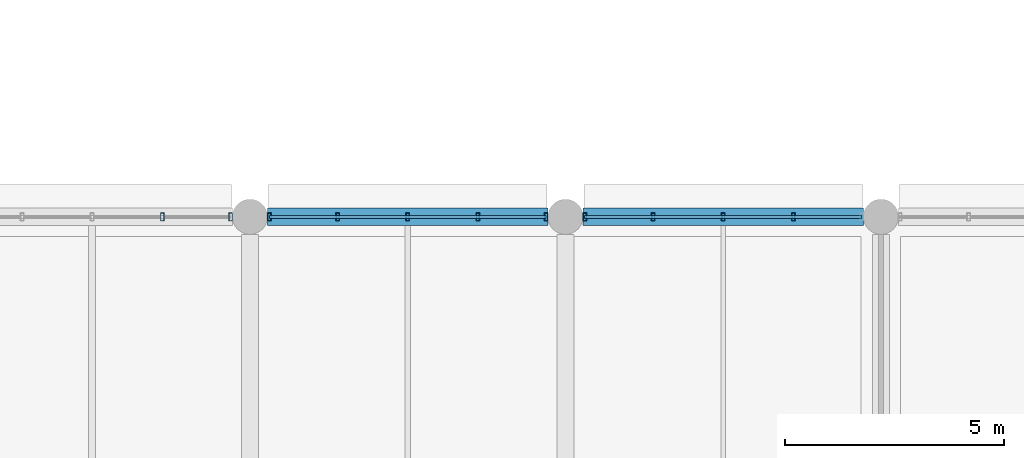
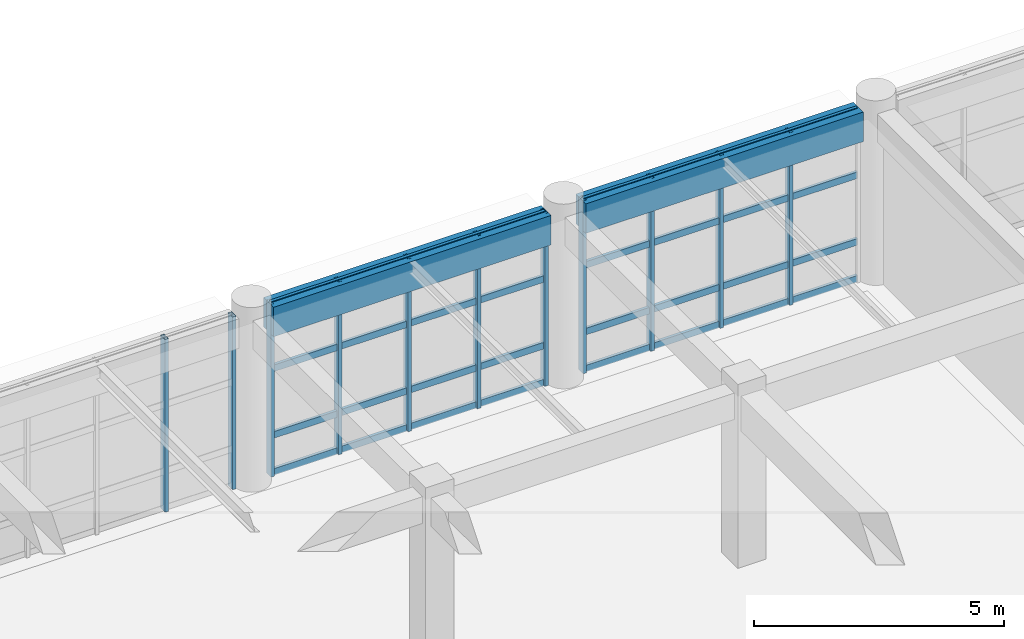
# One storey, part 59 of 171: 19 members, 2 beams, 3 elements without a shape of their own.
"""IFC4 building model written with IfcOpenShell, lengths in metres."""

from ifc_helpers import new_model, si_unit, direction, frame, origin, origin_2d, place, context, subcontext, project, spatial, rectangle, hollow_rectangle, extrude, material, material_profile, profile_set, type_object, element, aggregate, save


model = new_model("IFC4")

# Units and contexts
model_context = context("Model", 3, precision=1e-05, world=origin(), true_north=direction((0.0, 1.0)))
body_context = subcontext(model_context, "Body", "Model", "MODEL_VIEW")
ifc_project = project(units=[si_unit("LENGTHUNIT", "METRE"), si_unit("AREAUNIT", "SQUARE_METRE"), si_unit("VOLUMEUNIT", "CUBIC_METRE"), si_unit("PLANEANGLEUNIT", "RADIAN"), si_unit("MASSUNIT", "GRAM", prefix="KILO")], contexts=[model_context])

# Site, building, storey
site_placement = place(None, origin())
site = spatial("IfcSite", under=ifc_project, at=site_placement, CompositionType="ELEMENT")
building_placement = place(site_placement, origin())
building = spatial("IfcBuilding", under=site, at=building_placement, Name="Thalmaran Polytechnic", CompositionType="ELEMENT")
storey_placement = place(building_placement, frame((0.0, 0.0, 5.39990234375)))
storey = spatial("IfcBuildingStorey", under=building, at=storey_placement, Name="L01", CompositionType="ELEMENT", Elevation=5.39990234375)

# Beams
ifc_material_1 = material(Name="Concrete C40/50", Category="concrete")
ifc_material_profile_1 = material_profile(ifc_material_1, rectangle(XDim=0.39990234375, YDim=0.719970703125, at=origin_2d()), Name="RC 400x720")
ifc_profile_set_1 = profile_set([ifc_material_profile_1], Name="Concrete C40/50")
beam_type = type_object("IfcBeamType", Name="BM-SP01", PredefinedType="SPANDREL", material=ifc_profile_set_1)
for number, where, z_axis, x_axis, name in (
    (1, (50.800048828125, 72.0, 3.85009765625), (1.0, 0.0, 0.0), (0.0, 1.0, 0.0), "Grid Beam SP01 L01 X(7,10)"),
    (2, (58.0, 72.0, 3.85009765625), (1.0, 0.0, 0.0), (0.0, 1.0, 0.0), "Grid Beam SP01 L01 X(8,10)"),
):
    element("IfcBeam", number, at=place(storey_placement, frame(where, z_axis=z_axis, x_axis=x_axis)), inside=storey, type_object=beam_type, Name=name, PredefinedType="SPANDREL", context=body_context, shape_type="SweptSolid", body=[
        extrude(rectangle(XDim=0.39990234375, YDim=0.719970703125, at=origin_2d()), origin(), (0.0, 0.0, 1.0), 6.39990234375),
    ])

# Curtain wall, members
ifc_material_2 = material(Name="Aluminium 6063-T6", Category="aluminium")
curtain_wall_type = type_object("IfcCurtainWallType", Name="CW-SC01", PredefinedType="USERDEFINED", material=ifc_material_2)
curtain_wall_1_placement = place(storey_placement, origin())
curtain_wall_1 = element("IfcCurtainWall", 3, at=curtain_wall_1_placement, inside=storey, type_object=curtain_wall_type, Name="Curtain Wall CW-L01-142", ObjectType="STICK CURTAIN WALL", PredefinedType="USERDEFINED")
ifc_material_profile_2 = material_profile(ifc_material_2, hollow_rectangle(XDim=0.080078125, YDim=0.179931640625, WallThickness=0.0048828125, at=origin_2d()), Name="RHS 180x80x5.0")
ifc_profile_set_2 = profile_set([ifc_material_profile_2], Name="Aluminium 6063-T6")
member_type_1 = type_object("IfcMemberType", Name="CW-MUL1", PredefinedType="MULLION", material=ifc_profile_set_2)
member_1_placement = place(storey_placement, frame((48.39990234375, 72.0, 0.0), z_axis=(0.0, 0.0, 1.0), x_axis=(1.0, 0.0, 0.0)))
member_1 = element("IfcMember", 4, at=member_1_placement, type_object=member_type_1, Name="CW-L01-142 Mullion 4", PredefinedType="MULLION", context=body_context, shape_type="SweptSolid", body=[
    extrude(hollow_rectangle(XDim=0.080078125, YDim=0.179931640625, WallThickness=0.0048828125, at=origin_2d()), origin(), (0.0, 0.0, 1.0), 4.210205078125),
])
member_2_placement = place(storey_placement, frame((49.9599609375, 72.0, 0.0), z_axis=(0.0, 0.0, 1.0), x_axis=(1.0, 0.0, 0.0)))
member_2 = element("IfcMember", 5, at=member_2_placement, type_object=member_type_1, Name="CW-L01-142 Mullion 5", PredefinedType="MULLION", context=body_context, shape_type="SweptSolid", body=[
    extrude(hollow_rectangle(XDim=0.080078125, YDim=0.179931640625, WallThickness=0.0048828125, at=origin_2d()), origin(), (0.0, 0.0, 1.0), 4.210205078125),
])
aggregate(curtain_wall_1, [member_1, member_2])

curtain_wall_2_placement = place(storey_placement, origin())
curtain_wall_2 = element("IfcCurtainWall", 6, at=curtain_wall_2_placement, inside=storey, type_object=curtain_wall_type, Name="Curtain Wall CW-L01-143", ObjectType="STICK CURTAIN WALL", PredefinedType="USERDEFINED")
member_3_placement = place(storey_placement, frame((50.840087890625, 72.0, 0.0), z_axis=(0.0, 0.0, 1.0), x_axis=(1.0, 0.0, 0.0)))
member_3 = element("IfcMember", 7, at=member_3_placement, type_object=member_type_1, Name="CW-L01-143 Mullion 1", PredefinedType="MULLION", context=body_context, shape_type="SweptSolid", body=[
    extrude(hollow_rectangle(XDim=0.080078125, YDim=0.179931640625, WallThickness=0.0048828125, at=origin_2d()), origin(), (0.0, 0.0, 1.0), 4.210205078125),
])
member_4_placement = place(storey_placement, frame((52.39990234375, 72.0, 0.0), z_axis=(0.0, 0.0, 1.0), x_axis=(1.0, 0.0, 0.0)))
member_4 = element("IfcMember", 8, at=member_4_placement, type_object=member_type_1, Name="CW-L01-143 Mullion 2", PredefinedType="MULLION", context=body_context, shape_type="SweptSolid", body=[
    extrude(hollow_rectangle(XDim=0.080078125, YDim=0.179931640625, WallThickness=0.0048828125, at=origin_2d()), origin(), (0.0, 0.0, 1.0), 4.210205078125),
])
member_5_placement = place(storey_placement, frame((54.0, 72.0, 0.0), z_axis=(0.0, 0.0, 1.0), x_axis=(1.0, 0.0, 0.0)))
member_5 = element("IfcMember", 9, at=member_5_placement, type_object=member_type_1, Name="CW-L01-143 Mullion 3", PredefinedType="MULLION", context=body_context, shape_type="SweptSolid", body=[
    extrude(hollow_rectangle(XDim=0.080078125, YDim=0.179931640625, WallThickness=0.0048828125, at=origin_2d()), origin(), (0.0, 0.0, 1.0), 4.210205078125),
])
member_6_placement = place(storey_placement, frame((55.60009765625, 72.0, 0.0), z_axis=(0.0, 0.0, 1.0), x_axis=(1.0, 0.0, 0.0)))
member_6 = element("IfcMember", 10, at=member_6_placement, type_object=member_type_1, Name="CW-L01-143 Mullion 4", PredefinedType="MULLION", context=body_context, shape_type="SweptSolid", body=[
    extrude(hollow_rectangle(XDim=0.080078125, YDim=0.179931640625, WallThickness=0.0048828125, at=origin_2d()), origin(), (0.0, 0.0, 1.0), 4.210205078125),
])
member_7_placement = place(storey_placement, frame((57.159912109375, 72.0, 0.0), z_axis=(0.0, 0.0, 1.0), x_axis=(1.0, 0.0, 0.0)))
member_7 = element("IfcMember", 11, at=member_7_placement, type_object=member_type_1, Name="CW-L01-143 Mullion 5", PredefinedType="MULLION", context=body_context, shape_type="SweptSolid", body=[
    extrude(hollow_rectangle(XDim=0.080078125, YDim=0.179931640625, WallThickness=0.0048828125, at=origin_2d()), origin(), (0.0, 0.0, 1.0), 4.210205078125),
])

curtain_wall_3_placement = place(storey_placement, origin())
curtain_wall_3 = element("IfcCurtainWall", 12, at=curtain_wall_3_placement, inside=storey, type_object=curtain_wall_type, Name="Curtain Wall CW-L01-144", ObjectType="STICK CURTAIN WALL", PredefinedType="USERDEFINED")
member_8_placement = place(storey_placement, frame((58.0400390625, 72.0, 0.0), z_axis=(0.0, 0.0, 1.0), x_axis=(1.0, 0.0, 0.0)))
member_8 = element("IfcMember", 13, at=member_8_placement, type_object=member_type_1, Name="CW-L01-144 Mullion 1", PredefinedType="MULLION", context=body_context, shape_type="SweptSolid", body=[
    extrude(hollow_rectangle(XDim=0.080078125, YDim=0.179931640625, WallThickness=0.0048828125, at=origin_2d()), origin(), (0.0, 0.0, 1.0), 4.210205078125),
])
member_9_placement = place(storey_placement, frame((59.60009765625, 72.0, 0.0), z_axis=(0.0, 0.0, 1.0), x_axis=(1.0, 0.0, 0.0)))
member_9 = element("IfcMember", 14, at=member_9_placement, type_object=member_type_1, Name="CW-L01-144 Mullion 2", PredefinedType="MULLION", context=body_context, shape_type="SweptSolid", body=[
    extrude(hollow_rectangle(XDim=0.080078125, YDim=0.179931640625, WallThickness=0.0048828125, at=origin_2d()), origin(), (0.0, 0.0, 1.0), 4.210205078125),
])
member_10_placement = place(storey_placement, frame((61.199951171875, 72.0, 0.0), z_axis=(0.0, 0.0, 1.0), x_axis=(1.0, 0.0, 0.0)))
member_10 = element("IfcMember", 15, at=member_10_placement, type_object=member_type_1, Name="CW-L01-144 Mullion 3", PredefinedType="MULLION", context=body_context, shape_type="SweptSolid", body=[
    extrude(hollow_rectangle(XDim=0.080078125, YDim=0.179931640625, WallThickness=0.0048828125, at=origin_2d()), origin(), (0.0, 0.0, 1.0), 4.210205078125),
])
member_11_placement = place(storey_placement, frame((62.800048828125, 72.0, 0.0), z_axis=(0.0, 0.0, 1.0), x_axis=(1.0, 0.0, 0.0)))
member_11 = element("IfcMember", 16, at=member_11_placement, type_object=member_type_1, Name="CW-L01-144 Mullion 4", PredefinedType="MULLION", context=body_context, shape_type="SweptSolid", body=[
    extrude(hollow_rectangle(XDim=0.080078125, YDim=0.179931640625, WallThickness=0.0048828125, at=origin_2d()), origin(), (0.0, 0.0, 1.0), 4.210205078125),
])

# Member
ifc_material_profile_3 = material_profile(ifc_material_2, hollow_rectangle(XDim=0.070068359375, YDim=0.159912109375, WallThickness=0.00390625, at=origin_2d()), Name="AL 160x70x4.0")
ifc_profile_set_3 = profile_set([ifc_material_profile_3], Name="Aluminium 6063-T6")
member_type_2 = type_object("IfcMemberType", Name="CW-TRN1", PredefinedType="USERDEFINED", material=ifc_profile_set_3)
member_12_placement = place(storey_placement, frame((50.840087890625, 72.0, 0.06005859375), z_axis=(1.0, 0.0, 0.0), x_axis=(0.0, 1.0, 0.0)))
member_12 = element("IfcMember", 17, at=member_12_placement, type_object=member_type_2, Name="CW-L01-143 Transom 1", ObjectType="TRANSOM", PredefinedType="USERDEFINED", context=body_context, shape_type="SweptSolid", body=[
    extrude(hollow_rectangle(XDim=0.070068359375, YDim=0.159912109375, WallThickness=0.00390625, at=origin_2d()), origin(), (0.0, 0.0, 1.0), 6.31982421875),
])

member_13_placement = place(storey_placement, frame((50.840087890625, 72.0, 0.960205078125), z_axis=(1.0, 0.0, 0.0), x_axis=(0.0, 1.0, 0.0)))
member_13 = element("IfcMember", 18, at=member_13_placement, type_object=member_type_2, Name="CW-L01-143 Transom 2", ObjectType="TRANSOM", PredefinedType="USERDEFINED", context=body_context, shape_type="SweptSolid", body=[
    extrude(hollow_rectangle(XDim=0.070068359375, YDim=0.159912109375, WallThickness=0.00390625, at=origin_2d()), origin(), (0.0, 0.0, 1.0), 6.31982421875),
])

member_14_placement = place(storey_placement, frame((50.840087890625, 72.0, 2.585205078125), z_axis=(1.0, 0.0, 0.0), x_axis=(0.0, 1.0, 0.0)))
member_14 = element("IfcMember", 19, at=member_14_placement, type_object=member_type_2, Name="CW-L01-143 Transom 3", ObjectType="TRANSOM", PredefinedType="USERDEFINED", context=body_context, shape_type="SweptSolid", body=[
    extrude(hollow_rectangle(XDim=0.070068359375, YDim=0.159912109375, WallThickness=0.00390625, at=origin_2d()), origin(), (0.0, 0.0, 1.0), 6.31982421875),
])

member_15_placement = place(storey_placement, frame((50.840087890625, 72.0, 4.150146484375), z_axis=(1.0, 0.0, 0.0), x_axis=(0.0, 1.0, 0.0)))
member_15 = element("IfcMember", 20, at=member_15_placement, type_object=member_type_2, Name="CW-L01-143 Transom 4", ObjectType="TRANSOM", PredefinedType="USERDEFINED", context=body_context, shape_type="SweptSolid", body=[
    extrude(hollow_rectangle(XDim=0.070068359375, YDim=0.159912109375, WallThickness=0.00390625, at=origin_2d()), origin(), (0.0, 0.0, 1.0), 6.31982421875),
])

aggregate(curtain_wall_2, [member_3, member_4, member_5, member_6, member_7, member_12, member_13, member_14, member_15])

member_16_placement = place(storey_placement, frame((58.0400390625, 72.0, 0.06005859375), z_axis=(1.0, 0.0, 0.0), x_axis=(0.0, 1.0, 0.0)))
member_16 = element("IfcMember", 21, at=member_16_placement, type_object=member_type_2, Name="CW-L01-144 Transom 1", ObjectType="TRANSOM", PredefinedType="USERDEFINED", context=body_context, shape_type="SweptSolid", body=[
    extrude(hollow_rectangle(XDim=0.070068359375, YDim=0.159912109375, WallThickness=0.00390625, at=origin_2d()), origin(), (0.0, 0.0, 1.0), 6.320068359375),
])

member_17_placement = place(storey_placement, frame((58.0400390625, 72.0, 0.960205078125), z_axis=(1.0, 0.0, 0.0), x_axis=(0.0, 1.0, 0.0)))
member_17 = element("IfcMember", 22, at=member_17_placement, type_object=member_type_2, Name="CW-L01-144 Transom 2", ObjectType="TRANSOM", PredefinedType="USERDEFINED", context=body_context, shape_type="SweptSolid", body=[
    extrude(hollow_rectangle(XDim=0.070068359375, YDim=0.159912109375, WallThickness=0.00390625, at=origin_2d()), origin(), (0.0, 0.0, 1.0), 6.320068359375),
])

member_18_placement = place(storey_placement, frame((58.0400390625, 72.0, 2.585205078125), z_axis=(1.0, 0.0, 0.0), x_axis=(0.0, 1.0, 0.0)))
member_18 = element("IfcMember", 23, at=member_18_placement, type_object=member_type_2, Name="CW-L01-144 Transom 3", ObjectType="TRANSOM", PredefinedType="USERDEFINED", context=body_context, shape_type="SweptSolid", body=[
    extrude(hollow_rectangle(XDim=0.070068359375, YDim=0.159912109375, WallThickness=0.00390625, at=origin_2d()), origin(), (0.0, 0.0, 1.0), 6.320068359375),
])

member_19_placement = place(storey_placement, frame((58.0400390625, 72.0, 4.150146484375), z_axis=(1.0, 0.0, 0.0), x_axis=(0.0, 1.0, 0.0)))
member_19 = element("IfcMember", 24, at=member_19_placement, type_object=member_type_2, Name="CW-L01-144 Transom 4", ObjectType="TRANSOM", PredefinedType="USERDEFINED", context=body_context, shape_type="SweptSolid", body=[
    extrude(hollow_rectangle(XDim=0.070068359375, YDim=0.159912109375, WallThickness=0.00390625, at=origin_2d()), origin(), (0.0, 0.0, 1.0), 6.320068359375),
])

aggregate(curtain_wall_3, [member_8, member_9, member_10, member_11, member_16, member_17, member_18, member_19])

save(model, "model.ifc")
